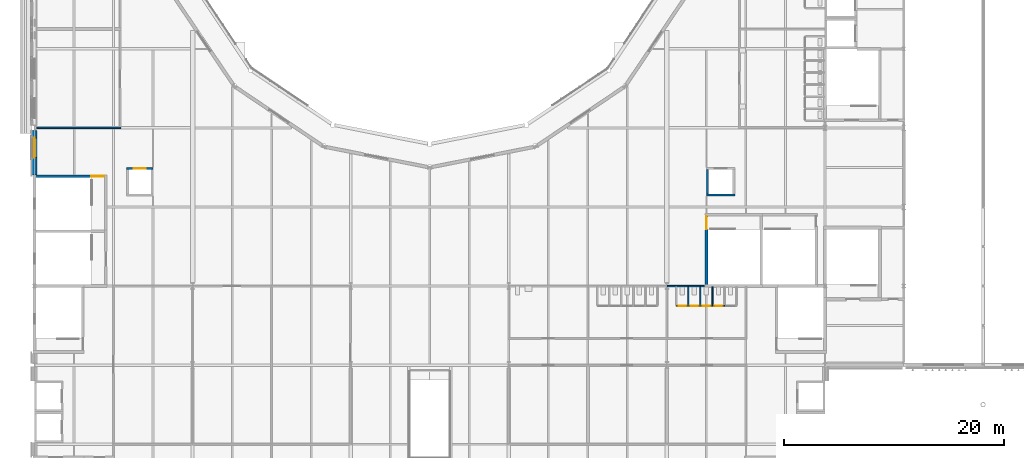
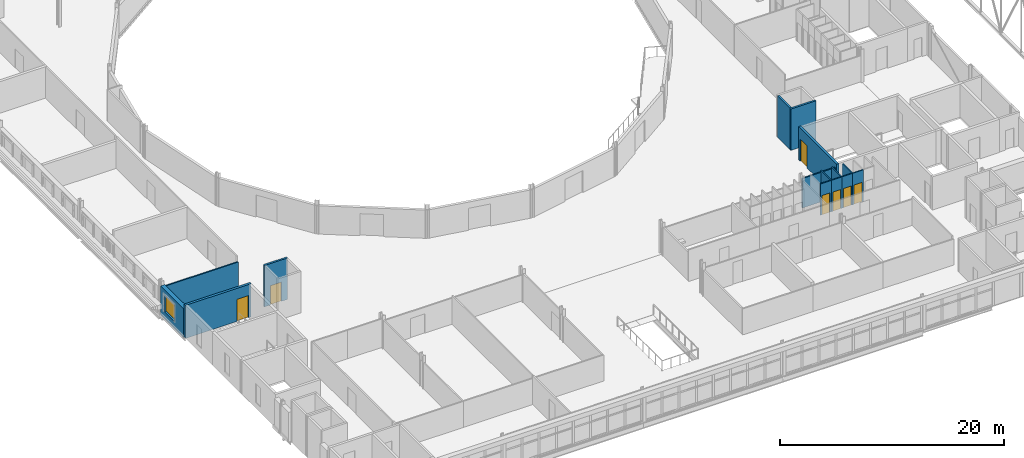
# One storey, part 89 of 142: 15 walls, 7 doors, 1 window, 8 openings.
"""IFC4 building model written with IfcOpenShell, lengths in metres."""

from ifc_helpers import new_model, si_unit, direction, frame, frame_2d, origin, place, context, subcontext, project, spatial, rectangle, extrude, material, layer, layer_set, type_object, element, fill, save


model = new_model("IFC4")

# Units and contexts
model_context = context("Model", 3, precision=1e-05, world=origin(), true_north=direction((0.0, 1.0)))
body_context = subcontext(model_context, "Body", "Model", "MODEL_VIEW")
ifc_project = project(units=[si_unit("LENGTHUNIT", "METRE"), si_unit("AREAUNIT", "SQUARE_METRE"), si_unit("VOLUMEUNIT", "CUBIC_METRE"), si_unit("PLANEANGLEUNIT", "RADIAN"), si_unit("MASSUNIT", "GRAM", prefix="KILO")], contexts=[model_context])

# Site, building, storey
site_placement = place(None, origin())
site = spatial("IfcSite", under=ifc_project, at=site_placement, CompositionType="ELEMENT")
building_placement = place(site_placement, origin())
building = spatial("IfcBuilding", under=site, at=building_placement, Name="Kupolbacken Congress Centre", CompositionType="ELEMENT")
storey_placement = place(building_placement, frame((0.0, 0.0, 14.39990234375)))
storey = spatial("IfcBuildingStorey", under=building, at=storey_placement, Name="L04", CompositionType="ELEMENT", Elevation=14.39990234375)

# Wall, opening, window
ifc_material_1 = material(Name="Limestone", Category="masonry")
ifc_layer_1 = layer(ifc_material_1, 0.1201171875)
ifc_material_2 = material(Name="Air cavity", Category="air")
ifc_layer_2 = layer(ifc_material_2, 0.0400390625, ventilated=True)
ifc_material_3 = material(Name="Mineral wool", Category="insulation")
ifc_layer_3 = layer(ifc_material_3, 0.159912109375)
ifc_material_4 = material(Name="Concrete block", Category="masonry")
ifc_layer_4 = layer(ifc_material_4, 0.1201171875)
ifc_layer_set_1 = layer_set([ifc_layer_1, ifc_layer_2, ifc_layer_3, ifc_layer_4], Name="Limestone / Mineral wool / Concrete block")
wall_type_1 = type_object("IfcWallType", Name="EW05 external cavity wall 440", PredefinedType="SOLIDWALL", material=ifc_layer_set_1)
wall_1_placement = place(storey_placement, frame((7.199951171875, 64.574951171875, 0.0), z_axis=(0.0, 0.0, 1.0), x_axis=(0.0, -1.0, 0.0)))
wall_1 = element("IfcWall", 1, at=wall_1_placement, inside=storey, type_object=wall_type_1, Name="E/P/W/L04/454", PredefinedType="SOLIDWALL", context=body_context, shape_type="SweptSolid", body=[
    extrude(rectangle(XDim=4.050048828125, YDim=0.43994140625, at=frame_2d((2.02490234375, 0.0))), origin(), (0.0, 0.0, 1.0), 3.150146484375),
])
opening_1_placement = place(wall_1_placement, frame((0.675048828125, 0.0, 0.75)))
opening_1 = element("IfcOpeningElement", 2, at=opening_1_placement, cuts=wall_1, Name="Opening W7", PredefinedType="OPENING", context=body_context, shape_type="SweptSolid", body=[
    extrude(rectangle(XDim=1.800048828125, YDim=1.800048828125, at=frame_2d((0.89990234375, 0.89990234375))), frame((0.0, 0.22998046875, 0.0), z_axis=(0.0, -1.0, 0.0), x_axis=(1.0, 0.0, 0.0)), (0.0, 0.0, 1.0), 0.4599609375),
])
ifc_material_5 = material(Name="Aluminium frame with double or triple glazing", Category="aluminium")
window_type = type_object("IfcWindowType", Name="W7 window 1800x1800", PartitioningType="DOUBLE_PANEL_VERTICAL", PredefinedType="WINDOW", material=ifc_material_5)
window_placement = place(opening_1_placement, origin())
window = element("IfcWindow", 3, at=window_placement, inside=storey, type_object=window_type, Name="E/P/W/L04/454/W1", OverallHeight=1.800048828125, OverallWidth=1.800048828125, PartitioningType="SINGLE_PANEL", PredefinedType="WINDOW", context=body_context, shape_type="SweptSolid", body=[
    extrude(rectangle(XDim=1.800048828125, YDim=1.800048828125, at=frame_2d((0.89990234375, 0.89990234375))), frame((0.0, 0.030029296875, 0.0), z_axis=(0.0, -1.0, 0.0), x_axis=(1.0, 0.0, 0.0)), (0.0, 0.0, 1.0), 0.06005859375),
])
fill(opening_1, window)

# Wall, opening, door
ifc_material_6 = material(Name="Gypsum board", Category="drywall")
ifc_layer_5 = layer(ifc_material_6, 0.114990234375)
ifc_layer_set_2 = layer_set([ifc_layer_5], Name="Gypsum board")
wall_type_2 = type_object("IfcWallType", Name="P04 partition 115", PredefinedType="PARTITIONING", material=ifc_layer_set_2)
wall_2_placement = place(storey_placement, frame((65.64990234375, 48.60009765625, 0.0), z_axis=(0.0, 0.0, 1.0), x_axis=(1.0, 0.0, 0.0)))
wall_2 = element("IfcWall", 4, at=wall_2_placement, inside=storey, type_object=wall_type_2, Name="PD/L04/F-WC-03/cub01/F", PredefinedType="PARTITIONING", context=body_context, shape_type="SweptSolid", body=[
    extrude(rectangle(XDim=1.10009765625, YDim=0.114990234375, at=frame_2d((0.550048828125, 0.0))), origin(), (0.0, 0.0, 1.0), 3.420166015625),
])
opening_2_placement = place(wall_2_placement, frame((0.14990234375, 0.0, 0.0)))
opening_2 = element("IfcOpeningElement", 5, at=opening_2_placement, cuts=wall_2, Name="Opening 4.WF100", PredefinedType="OPENING", context=body_context, shape_type="SweptSolid", body=[
    extrude(rectangle(XDim=0.800048828125, YDim=2.10009765625, at=frame_2d((0.39990234375, 1.050048828125))), frame((0.0, 0.0673828125, 0.0), z_axis=(0.0, -1.0, 0.0), x_axis=(1.0, 0.0, 0.0)), (0.0, 0.0, 1.0), 0.135009765625),
])
ifc_material_7 = material(Name="Timber door leaf", Category="wood")
door_type_1 = type_object("IfcDoorType", Name="D2 door 800x2100", OperationType="SINGLE_SWING_LEFT", PredefinedType="DOOR", material=ifc_material_7)
door_1_placement = place(opening_2_placement, origin())
door_1 = element("IfcDoor", 6, at=door_1_placement, inside=storey, type_object=door_type_1, Name="PD/L04/F-WC-03/cub01/F/DC", OperationType="SINGLE_SWING_RIGHT", OverallHeight=2.10009765625, OverallWidth=0.800048828125, PredefinedType="DOOR", context=body_context, shape_type="SweptSolid", body=[
    extrude(rectangle(XDim=0.800048828125, YDim=2.10009765625, at=frame_2d((0.39990234375, 1.050048828125))), frame((0.0, 0.02490234375, 0.0), z_axis=(0.0, -1.0, 0.0), x_axis=(1.0, 0.0, 0.0)), (0.0, 0.0, 1.0), 0.050048828125),
])
fill(opening_2, door_1)

wall_3_placement = place(storey_placement, frame((66.75, 48.60009765625, 0.0), z_axis=(0.0, 0.0, 1.0), x_axis=(1.0, 0.0, 0.0)))
wall_3 = element("IfcWall", 7, at=wall_3_placement, inside=storey, type_object=wall_type_2, Name="PD/L04/F-WC-03/cub02/F", PredefinedType="PARTITIONING", context=body_context, shape_type="SweptSolid", body=[
    extrude(rectangle(XDim=1.10009765625, YDim=0.114990234375, at=frame_2d((0.550048828125, 0.0))), origin(), (0.0, 0.0, 1.0), 3.420166015625),
])
opening_3_placement = place(wall_3_placement, frame((0.14990234375, 0.0, 0.0)))
opening_3 = element("IfcOpeningElement", 8, at=opening_3_placement, cuts=wall_3, Name="Opening 4.WF101", PredefinedType="OPENING", context=body_context, shape_type="SweptSolid", body=[
    extrude(rectangle(XDim=0.800048828125, YDim=2.10009765625, at=frame_2d((0.39990234375, 1.050048828125))), frame((0.0, 0.0673828125, 0.0), z_axis=(0.0, -1.0, 0.0), x_axis=(1.0, 0.0, 0.0)), (0.0, 0.0, 1.0), 0.135009765625),
])
door_2_placement = place(opening_3_placement, origin())
door_2 = element("IfcDoor", 9, at=door_2_placement, inside=storey, type_object=door_type_1, Name="PD/L04/F-WC-03/cub02/F/DC", OperationType="SINGLE_SWING_RIGHT", OverallHeight=2.10009765625, OverallWidth=0.800048828125, PredefinedType="DOOR", context=body_context, shape_type="SweptSolid", body=[
    extrude(rectangle(XDim=0.800048828125, YDim=2.10009765625, at=frame_2d((0.39990234375, 1.050048828125))), frame((0.0, 0.02490234375, 0.0), z_axis=(0.0, -1.0, 0.0), x_axis=(1.0, 0.0, 0.0)), (0.0, 0.0, 1.0), 0.050048828125),
])
fill(opening_3, door_2)

# Wall
wall_4_placement = place(storey_placement, frame((66.75, 50.342529296875, 0.0), z_axis=(0.0, 0.0, 1.0), x_axis=(0.0, -1.0, 0.0)))
element("IfcWall", 10, at=wall_4_placement, inside=storey, type_object=wall_type_2, Name="PD/L04/F-WC-03/cub02/a", PredefinedType="PARTITIONING", context=body_context, shape_type="SweptSolid", body=[
    extrude(rectangle(XDim=1.68505859375, YDim=0.114990234375, at=frame_2d((0.842529296875, 0.0))), origin(), (0.0, 0.0, 1.0), 3.420166015625),
])

# Wall, opening, door
wall_5_placement = place(storey_placement, frame((67.85009765625, 48.60009765625, 0.0), z_axis=(0.0, 0.0, 1.0), x_axis=(1.0, 0.0, 0.0)))
wall_5 = element("IfcWall", 11, at=wall_5_placement, inside=storey, type_object=wall_type_2, Name="PD/L04/F-WC-03/cub03/F", PredefinedType="PARTITIONING", context=body_context, shape_type="SweptSolid", body=[
    extrude(rectangle(XDim=1.099853515625, YDim=0.114990234375, at=frame_2d((0.5498046875, 0.0))), origin(), (0.0, 0.0, 1.0), 3.420166015625),
])
opening_4_placement = place(wall_5_placement, frame((0.14990234375, 0.0, 0.0)))
opening_4 = element("IfcOpeningElement", 12, at=opening_4_placement, cuts=wall_5, Name="Opening 4.WF102", PredefinedType="OPENING", context=body_context, shape_type="SweptSolid", body=[
    extrude(rectangle(XDim=0.800048828125, YDim=2.10009765625, at=frame_2d((0.39990234375, 1.050048828125))), frame((0.0, 0.0673828125, 0.0), z_axis=(0.0, -1.0, 0.0), x_axis=(1.0, 0.0, 0.0)), (0.0, 0.0, 1.0), 0.135009765625),
])
door_3_placement = place(opening_4_placement, origin())
door_3 = element("IfcDoor", 13, at=door_3_placement, inside=storey, type_object=door_type_1, Name="PD/L04/F-WC-03/cub03/F/DC", OperationType="SINGLE_SWING_LEFT", OverallHeight=2.10009765625, OverallWidth=0.800048828125, PredefinedType="DOOR", context=body_context, shape_type="SweptSolid", body=[
    extrude(rectangle(XDim=0.800048828125, YDim=2.10009765625, at=frame_2d((0.39990234375, 1.050048828125))), frame((0.0, 0.02490234375, 0.0), z_axis=(0.0, -1.0, 0.0), x_axis=(1.0, 0.0, 0.0)), (0.0, 0.0, 1.0), 0.050048828125),
])
fill(opening_4, door_3)

# Wall
wall_6_placement = place(storey_placement, frame((67.85009765625, 50.342529296875, 0.0), z_axis=(0.0, 0.0, 1.0), x_axis=(0.0, -1.0, 0.0)))
element("IfcWall", 14, at=wall_6_placement, inside=storey, type_object=wall_type_2, Name="PD/L04/F-WC-03/cub03/a", PredefinedType="PARTITIONING", context=body_context, shape_type="SweptSolid", body=[
    extrude(rectangle(XDim=1.68505859375, YDim=0.114990234375, at=frame_2d((0.842529296875, 0.0))), origin(), (0.0, 0.0, 1.0), 3.420166015625),
])

# Wall, opening, door
wall_7_placement = place(storey_placement, frame((68.949951171875, 48.60009765625, 0.0), z_axis=(0.0, 0.0, 1.0), x_axis=(1.0, 0.0, 0.0)))
wall_7 = element("IfcWall", 15, at=wall_7_placement, inside=storey, type_object=wall_type_2, Name="PD/L04/F-WC-03/cub04/F", PredefinedType="PARTITIONING", context=body_context, shape_type="SweptSolid", body=[
    extrude(rectangle(XDim=1.10009765625, YDim=0.114990234375, at=frame_2d((0.550048828125, 0.0))), origin(), (0.0, 0.0, 1.0), 3.420166015625),
])
opening_5_placement = place(wall_7_placement, frame((0.14990234375, 0.0, 0.0)))
opening_5 = element("IfcOpeningElement", 16, at=opening_5_placement, cuts=wall_7, Name="Opening 4.WF103", PredefinedType="OPENING", context=body_context, shape_type="SweptSolid", body=[
    extrude(rectangle(XDim=0.800048828125, YDim=2.10009765625, at=frame_2d((0.39990234375, 1.050048828125))), frame((0.0, 0.0673828125, 0.0), z_axis=(0.0, -1.0, 0.0), x_axis=(1.0, 0.0, 0.0)), (0.0, 0.0, 1.0), 0.135009765625),
])
door_4_placement = place(opening_5_placement, origin())
door_4 = element("IfcDoor", 17, at=door_4_placement, inside=storey, type_object=door_type_1, Name="PD/L04/F-WC-03/cub04/F/DC", OperationType="SINGLE_SWING_LEFT", OverallHeight=2.10009765625, OverallWidth=0.800048828125, PredefinedType="DOOR", context=body_context, shape_type="SweptSolid", body=[
    extrude(rectangle(XDim=0.800048828125, YDim=2.10009765625, at=frame_2d((0.39990234375, 1.050048828125))), frame((0.0, 0.02490234375, 0.0), z_axis=(0.0, -1.0, 0.0), x_axis=(1.0, 0.0, 0.0)), (0.0, 0.0, 1.0), 0.050048828125),
])
fill(opening_5, door_4)

# Walls
wall_8_placement = place(storey_placement, frame((68.949951171875, 50.342529296875, 0.0), z_axis=(0.0, 0.0, 1.0), x_axis=(0.0, -1.0, 0.0)))
element("IfcWall", 18, at=wall_8_placement, inside=storey, type_object=wall_type_2, Name="PD/L04/F-WC-03/cub04/a", PredefinedType="PARTITIONING", context=body_context, shape_type="SweptSolid", body=[
    extrude(rectangle(XDim=1.68505859375, YDim=0.114990234375, at=frame_2d((0.842529296875, 0.0))), origin(), (0.0, 0.0, 1.0), 3.420166015625),
])
ifc_material_8 = material(Name="Gypsum board", Category="drywall")
ifc_layer_6 = layer(ifc_material_8, 0.135009765625)
ifc_layer_set_3 = layer_set([ifc_layer_6], Name="Gypsum board")
wall_type_3 = type_object("IfcWallType", Name="P06 compartment wall 135", PredefinedType="PARTITIONING", material=ifc_layer_set_3)
wall_9_placement = place(storey_placement, frame((64.800048828125, 50.39990234375, 0.0), z_axis=(0.0, 0.0, 1.0), x_axis=(1.0, 0.0, 0.0)))
element("IfcWall", 19, at=wall_9_placement, inside=storey, type_object=wall_type_3, Name="PD/L04/W045", PredefinedType="PARTITIONING", context=body_context, shape_type="SweptSolid", body=[
    extrude(rectangle(XDim=3.4150390625, YDim=0.135009765625, at=frame_2d((1.70751953125, 0.0))), origin(), (0.0, 0.0, 1.0), 3.218994140625),
])
wall_10_placement = place(storey_placement, frame((15.0673828125, 64.800048828125, 0.0), z_axis=(0.0, 0.0, 1.0), x_axis=(-1.0, 0.0, 0.0)))
element("IfcWall", 20, at=wall_10_placement, inside=storey, type_object=wall_type_3, Name="PD/L04/W049", PredefinedType="PARTITIONING", context=body_context, shape_type="SweptSolid", body=[
    extrude(rectangle(XDim=7.6474609375, YDim=0.135009765625, at=frame_2d((3.82373046875, 0.0))), origin(), (0.0, 0.0, 1.0), 2.820068359375),
])

# Wall, opening, door
ifc_material_9 = material(Name="Concrete C40/50", Category="concrete")
ifc_layer_7 = layer(ifc_material_9, 0.199951171875)
ifc_layer_set_4 = layer_set([ifc_layer_7], Name="Concrete C40/50")
wall_type_4 = type_object("IfcWallType", Name="WC1 RC shaft wall 200", PredefinedType="SHEAR", material=ifc_layer_set_4)
wall_11_placement = place(storey_placement, frame((15.60009765625, 61.10009765625, 0.0), z_axis=(0.0, 0.0, 1.0), x_axis=(1.0, 0.0, 0.0)))
wall_11 = element("IfcWall", 21, at=wall_11_placement, inside=storey, type_object=wall_type_4, Name="Shaft wall LP5", PredefinedType="SHEAR", context=body_context, shape_type="SweptSolid", body=[
    extrude(rectangle(XDim=2.39990234375, YDim=0.199951171875, at=frame_2d((1.199951171875, 0.0))), origin(), (0.0, 0.0, 1.0), 4.5),
])
opening_6_placement = place(wall_11_placement, frame((0.64990234375, 0.0, 0.0)))
opening_6 = element("IfcOpeningElement", 22, at=opening_6_placement, cuts=wall_11, Name="Opening LD2", PredefinedType="OPENING", context=body_context, shape_type="SweptSolid", body=[
    extrude(rectangle(XDim=1.10009765625, YDim=2.10009765625, at=frame_2d((0.550048828125, 1.050048828125))), frame((0.0, 0.10986328125, 0.0), z_axis=(0.0, -1.0, 0.0), x_axis=(1.0, 0.0, 0.0)), (0.0, 0.0, 1.0), 0.219970703125),
])
ifc_material_10 = material(Name="Stainless steel door leaf", Category="steel")
door_type_2 = type_object("IfcDoorType", Name="LD2 lift landing door 1100x2100", OperationType="SLIDING_TO_LEFT", PredefinedType="DOOR", material=ifc_material_10)
door_5_placement = place(opening_6_placement, origin())
door_5 = element("IfcDoor", 23, at=door_5_placement, inside=storey, type_object=door_type_2, Name="Lift landing door LP5", OperationType="SLIDING_TO_LEFT", OverallHeight=2.10009765625, OverallWidth=1.10009765625, PredefinedType="DOOR", context=body_context, shape_type="SweptSolid", body=[
    extrude(rectangle(XDim=1.10009765625, YDim=2.10009765625, at=frame_2d((0.550048828125, 1.050048828125))), frame((0.0, 0.02490234375, 0.0), z_axis=(0.0, -1.0, 0.0), x_axis=(1.0, 0.0, 0.0)), (0.0, 0.0, 1.0), 0.050048828125),
])
fill(opening_6, door_5)

# Walls
wall_12_placement = place(storey_placement, frame((68.39990234375, 58.699951171875, 0.0), z_axis=(0.0, 0.0, 1.0), x_axis=(1.0, 0.0, 0.0)))
element("IfcWall", 24, at=wall_12_placement, inside=storey, type_object=wall_type_4, Name="Shaft wall LP6", PredefinedType="SHEAR", context=body_context, shape_type="SweptSolid", body=[
    extrude(rectangle(XDim=2.60009765625, YDim=0.199951171875, at=frame_2d((1.300048828125, 0.0))), origin(), (0.0, 0.0, 1.0), 4.5),
])
wall_13_placement = place(storey_placement, frame((68.5, 58.800048828125, 0.0), z_axis=(0.0, 0.0, 1.0), x_axis=(0.0, 1.0, 0.0)))
element("IfcWall", 25, at=wall_13_placement, inside=storey, type_object=wall_type_4, Name="Shaft wall LP6", PredefinedType="SHEAR", context=body_context, shape_type="SweptSolid", body=[
    extrude(rectangle(XDim=2.199951171875, YDim=0.199951171875, at=frame_2d((1.10009765625, 0.0))), origin(), (0.0, 0.0, 1.0), 4.5),
])

# Wall, opening, door
ifc_material_11 = material(Name="Concrete C40/50", Category="concrete")
ifc_layer_8 = layer(ifc_material_11, 0.25)
ifc_layer_set_5 = layer_set([ifc_layer_8], Name="Concrete C40/50")
wall_type_5 = type_object("IfcWallType", Name="WC2 RC stair enclosure wall 250", PredefinedType="SHEAR", material=ifc_layer_set_5)
wall_14_placement = place(storey_placement, frame((68.39990234375, 57.02490234375, 0.0), z_axis=(0.0, 0.0, 1.0), x_axis=(0.0, -1.0, 0.0)))
wall_14 = element("IfcWall", 26, at=wall_14_placement, inside=storey, type_object=wall_type_5, Name="Stair enclosure wall L04-040", PredefinedType="SHEAR", context=body_context, shape_type="SweptSolid", body=[
    extrude(rectangle(XDim=6.75, YDim=0.25, at=frame_2d((3.375, 0.0))), origin(), (0.0, 0.0, 1.0), 3.60009765625),
])
opening_7_placement = place(wall_14_placement, frame((0.27490234375, 0.0, 0.0)))
opening_7 = element("IfcOpeningElement", 27, at=opening_7_placement, cuts=wall_14, Name="Opening 4.P03", PredefinedType="OPENING", context=body_context, shape_type="SweptSolid", body=[
    extrude(rectangle(XDim=1.199951171875, YDim=2.39990234375, at=frame_2d((0.60009765625, 1.199951171875))), frame((0.0, 0.135009765625, 0.0), z_axis=(0.0, -1.0, 0.0), x_axis=(1.0, 0.0, 0.0)), (0.0, 0.0, 1.0), 0.27001953125),
])
ifc_material_12 = material(Name="Steel fire door leaf", Category="steel")
door_type_3 = type_object("IfcDoorType", Name="D9 fire door 1200x2400", OperationType="SINGLE_SWING_LEFT", PredefinedType="DOOR", material=ifc_material_12)
door_6_placement = place(opening_7_placement, origin())
door_6 = element("IfcDoor", 28, at=door_6_placement, inside=storey, type_object=door_type_3, Name="S/core/L04/040/D4P03", OperationType="SINGLE_SWING_RIGHT", OverallHeight=2.39990234375, OverallWidth=1.199951171875, PredefinedType="DOOR", context=body_context, shape_type="SweptSolid", body=[
    extrude(rectangle(XDim=1.199951171875, YDim=2.39990234375, at=frame_2d((0.60009765625, 1.199951171875))), frame((0.0, 0.02490234375, 0.0), z_axis=(0.0, -1.0, 0.0), x_axis=(1.0, 0.0, 0.0)), (0.0, 0.0, 1.0), 0.050048828125),
])
fill(opening_7, door_6)

wall_15_placement = place(storey_placement, frame((13.824951171875, 60.39990234375, 0.0), z_axis=(0.0, 0.0, 1.0), x_axis=(-1.0, 0.0, 0.0)))
wall_15 = element("IfcWall", 29, at=wall_15_placement, inside=storey, type_object=wall_type_5, Name="Stair enclosure wall L04-044", PredefinedType="SHEAR", context=body_context, shape_type="SweptSolid", body=[
    extrude(rectangle(XDim=6.75, YDim=0.25, at=frame_2d((3.375, 0.0))), origin(), (0.0, 0.0, 1.0), 3.60009765625),
])
opening_8_placement = place(wall_15_placement, frame((0.27490234375, 0.0, 0.0)))
opening_8 = element("IfcOpeningElement", 30, at=opening_8_placement, cuts=wall_15, Name="Opening 4.P02", PredefinedType="OPENING", context=body_context, shape_type="SweptSolid", body=[
    extrude(rectangle(XDim=1.199951171875, YDim=2.39990234375, at=frame_2d((0.60009765625, 1.199951171875))), frame((0.0, 0.135009765625, 0.0), z_axis=(0.0, -1.0, 0.0), x_axis=(1.0, 0.0, 0.0)), (0.0, 0.0, 1.0), 0.27001953125),
])
door_7_placement = place(opening_8_placement, origin())
door_7 = element("IfcDoor", 31, at=door_7_placement, inside=storey, type_object=door_type_3, Name="S/core/L04/044/D4P02", OperationType="SINGLE_SWING_RIGHT", OverallHeight=2.39990234375, OverallWidth=1.199951171875, PredefinedType="DOOR", context=body_context, shape_type="SweptSolid", body=[
    extrude(rectangle(XDim=1.199951171875, YDim=2.39990234375, at=frame_2d((0.60009765625, 1.199951171875))), frame((0.0, 0.02490234375, 0.0), z_axis=(0.0, -1.0, 0.0), x_axis=(1.0, 0.0, 0.0)), (0.0, 0.0, 1.0), 0.050048828125),
])
fill(opening_8, door_7)

save(model, "model.ifc")
